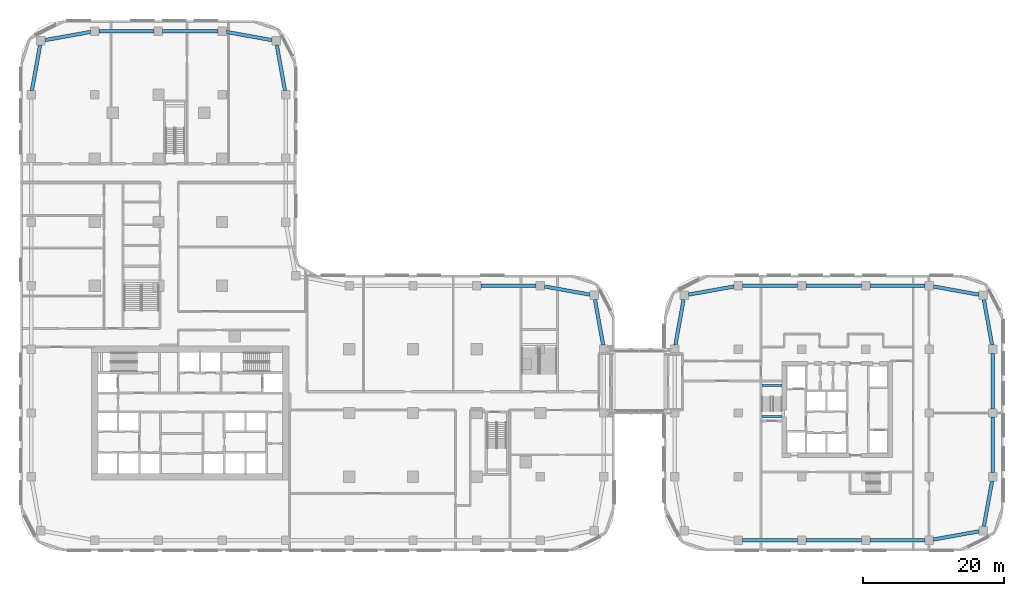
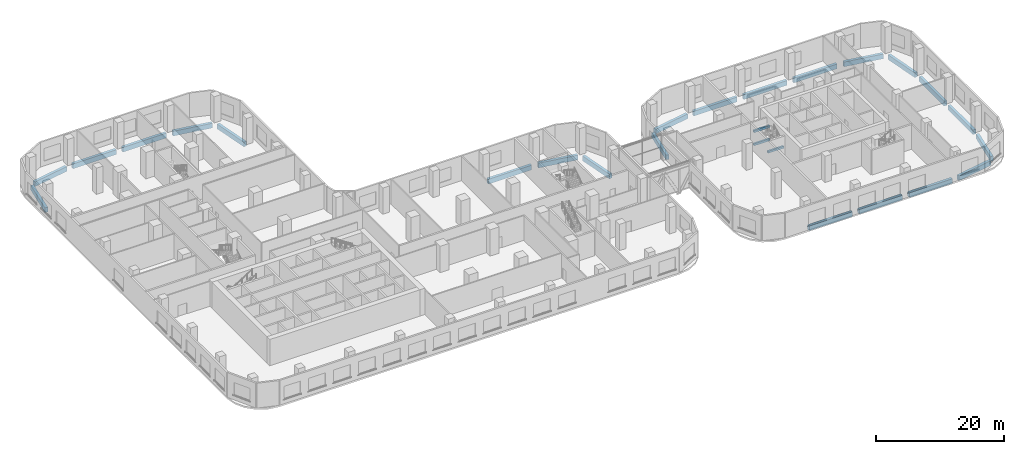
# One storey, part 3 of 35: 26 beams.
"""IFC4 building model written with IfcOpenShell, lengths in metres."""

import ifcopenshell
import ifcopenshell.guid

model = None  # the IFC model being written
_history = None  # IfcOwnerHistory: only IFC2X3 demands one
_inside = {}  # id of a spatial element -> (the spatial element, [elements in it])
_under = {}  # id of a project, library or spatial element -> (it, [spatial elements below it])
_declared = {}  # id of a project -> (the project, [libraries it declares])
_typed = {}  # id of a type object -> (the type object, [elements of that type])
_made_of = {}  # id of a material, layer set ... -> (it, [elements and type objects made of it])


def new_model(schema):
    """Start an empty IFC model of exactly this schema.

    Asked for "IFC4X3", IfcOpenShell would pick the latest addendum, in which some entities
    have other attributes; the version numbers below select the first issue.
    IFC2X3 requires an IfcOwnerHistory on every rooted entity: one is made here for all.
    """
    global model, _history
    if schema == "IFC4X3":
        model = ifcopenshell.file(schema_version=(4, 3, 0, 0))
    else:
        model = ifcopenshell.file(schema=schema)
    _inside.clear()
    _under.clear()
    _declared.clear()
    _typed.clear()
    _made_of.clear()
    _history = None
    if model.schema == "IFC2X3":
        org = make("IfcOrganization", Name="unknown")
        user = make(
            "IfcPersonAndOrganization",
            ThePerson=make("IfcPerson", FamilyName="unknown"),
            TheOrganization=org,
        )
        app = make(
            "IfcApplication",
            ApplicationDeveloper=org,
            Version="unknown",
            ApplicationFullName="unknown",
            ApplicationIdentifier="unknown",
        )
        _history = make(
            "IfcOwnerHistory",
            OwningUser=user,
            OwningApplication=app,
            ChangeAction="ADDED",
            CreationDate=0,
        )
    return model


def make(cls, **values):
    """One entity of the class cls with the attributes given. An attribute that is None is left unset."""
    return model.create_entity(
        cls, **{name: value for name, value in values.items() if value is not None}
    )


def rooted(cls, **values):
    """An entity with a GlobalId (a new one), such as an element, a storey or a relation."""
    return make(cls, GlobalId=ifcopenshell.guid.new(), OwnerHistory=_history, **values)


def si_unit(unit_type, name, prefix=None):
    """IfcSIUnit, for example si_unit("LENGTHUNIT", "METRE", prefix="MILLI")."""
    return make("IfcSIUnit", UnitType=unit_type, Prefix=prefix, Name=name)


def assignment(units):
    """IfcUnitAssignment: the units of a project."""
    return None if units is None else make("IfcUnitAssignment", Units=units)


def point(xyz):
    """IfcCartesianPoint."""
    return None if xyz is None else make("IfcCartesianPoint", Coordinates=xyz)


def direction(xyz):
    """IfcDirection."""
    return None if xyz is None else make("IfcDirection", DirectionRatios=xyz)


def frame(location, z_axis=None, x_axis=None):
    """IfcAxis2Placement3D, a coordinate frame: its origin and axes. An axis left out is left unset."""
    return make(
        "IfcAxis2Placement3D",
        Location=point(location),
        Axis=direction(z_axis),
        RefDirection=direction(x_axis),
    )


def frame_2d(location, x_axis=None):
    """IfcAxis2Placement2D, a coordinate frame in the plane: its origin and x axis."""
    return make(
        "IfcAxis2Placement2D", Location=point(location), RefDirection=direction(x_axis)
    )


def origin():
    """The frame at (0, 0, 0) with its axes left unset."""
    return frame((0.0, 0.0, 0.0))


def origin_2d():
    """The frame at (0, 0) in the plane with its x axis left unset."""
    return frame_2d((0.0, 0.0))


def place(relative_to, where):
    """IfcLocalPlacement: puts the frame where relative to a parent placement (None: the world)."""
    return make(
        "IfcLocalPlacement", PlacementRelTo=relative_to, RelativePlacement=where
    )


def context(
    kind, dimensions, precision=None, world=None, true_north=None, identifier=None
):
    """IfcGeometricRepresentationContext, for example the 3D "Model" context."""
    return make(
        "IfcGeometricRepresentationContext",
        ContextIdentifier=identifier,
        ContextType=kind,
        CoordinateSpaceDimension=dimensions,
        Precision=precision,
        WorldCoordinateSystem=world,
        TrueNorth=true_north,
    )


def subcontext(parent, identifier, kind, view, scale=None):
    """IfcGeometricRepresentationSubContext, for example "Body" below "Model"."""
    return make(
        "IfcGeometricRepresentationSubContext",
        ContextIdentifier=identifier,
        ContextType=kind,
        ParentContext=parent,
        TargetScale=scale,
        TargetView=view,
    )


def project(units=None, contexts=None):
    """IfcProject with its units and contexts."""
    return rooted(
        "IfcProject",
        Name="project",
        RepresentationContexts=contexts,
        UnitsInContext=assignment(units),
    )


def spatial(cls, under=None, at=None, **own):
    """A site, building, storey or space (cls), placed at a placement, below another one or the project."""
    s = rooted(cls, ObjectPlacement=at, **own)
    if under is not None:
        _under.setdefault(under.id(), (under, []))[1].append(s)
    return s


def profile(cls, at=None, kind="AREA", **sizes):
    """A parametric profile (cls). Its sizes go by their IFC names, for example OverallWidth=200.0."""
    return make(cls, ProfileType=kind, Position=at, **sizes)


def rectangle(**sizes):
    """IfcRectangleProfileDef."""
    return profile("IfcRectangleProfileDef", **sizes)


def extrude(swept, where, along, depth):
    """IfcExtrudedAreaSolid: the profile swept, set in the frame where, extruded along a direction by depth."""
    return make(
        "IfcExtrudedAreaSolid",
        SweptArea=swept,
        Position=where,
        ExtrudedDirection=direction(along),
        Depth=depth,
    )


def shape(context_of_items, identifier, shape_type, items):
    """IfcShapeRepresentation: the items that make up one representation, for example the "Body"."""
    return make(
        "IfcShapeRepresentation",
        ContextOfItems=context_of_items,
        RepresentationIdentifier=identifier,
        RepresentationType=shape_type,
        Items=items,
    )


def material(Name=None, Category=None):
    """IfcMaterial."""
    return make("IfcMaterial", Name=Name, Category=Category)


def material_profile(
    of_material, cross_section, Name=None, Category=None, Priority=None
):
    """IfcMaterialProfile: a cross section and its material."""
    return make(
        "IfcMaterialProfile",
        Name=Name,
        Material=of_material,
        Profile=cross_section,
        Priority=Priority,
        Category=Category,
    )


def profile_set(profiles, Name=None, composite=None):
    """IfcMaterialProfileSet."""
    return make(
        "IfcMaterialProfileSet",
        Name=Name,
        MaterialProfiles=profiles,
        CompositeProfile=composite,
    )


def made_of(thing, what):
    """Note that an element or type object is made of a material, layer set ...; save() writes the relation."""
    if what is not None:
        _made_of.setdefault(what.id(), (what, []))[1].append(thing)
    return thing


def type_object(cls, material=None, **own):
    """A type object (cls), such as IfcWallType, which elements share."""
    return made_of(rooted(cls, **own), material)


def element(
    cls,
    number,
    at=None,
    inside=None,
    cuts=None,
    type_object=None,
    material=None,
    context=None,
    identifier="Body",
    shape_type=None,
    held_by="IfcProductDefinitionShape",
    body=None,
    shapes=None,
    **own,
):
    """One element of the class cls, such as IfcWall. Its Tag is "e" and its number.

    at: its placement. inside: the storey or other place that contains it. cuts: it is an
    opening in that element (IfcRelVoidsElement). A single representation is given by context,
    identifier, shape_type and body (its items); several are given by shapes. held_by: the class
    of the entity that holds the representations. save() writes the other relations.
    """
    e = rooted(cls, Tag="e%d" % number, ObjectPlacement=at, **own)
    if body is not None:
        shapes = [shape(context, identifier, shape_type, body)]
    if shapes is not None:
        e.Representation = make(held_by, Representations=shapes)
    if inside is not None:
        _inside.setdefault(inside.id(), (inside, []))[1].append(e)
    if cuts is not None:
        rooted(
            "IfcRelVoidsElement", RelatingBuildingElement=cuts, RelatedOpeningElement=e
        )
    if type_object is not None:
        _typed.setdefault(type_object.id(), (type_object, []))[1].append(e)
    return made_of(e, material)


def aggregate(whole, parts):
    """IfcRelAggregates: a whole, such as a stair, and the parts it consists of."""
    return rooted("IfcRelAggregates", RelatingObject=whole, RelatedObjects=parts)


def save(model, path):
    """Write the relations noted so far, then the file.

    IfcRelAggregates (storeys below a building ...), IfcRelContainedInSpatialStructure (elements
    in a storey), IfcRelDefinesByType, IfcRelAssociatesMaterial and IfcRelDeclares: one each for
    every whole, place, type object, material and project.
    """
    for whole, parts in _under.values():
        aggregate(whole, parts)
    for where, things in _inside.values():
        rooted(
            "IfcRelContainedInSpatialStructure",
            RelatedElements=things,
            RelatingStructure=where,
        )
    for kind, things in _typed.values():
        rooted("IfcRelDefinesByType", RelatedObjects=things, RelatingType=kind)
    for what, things in _made_of.values():
        rooted("IfcRelAssociatesMaterial", RelatedObjects=things, RelatingMaterial=what)
    for by, libraries in _declared.values():
        rooted("IfcRelDeclares", RelatingContext=by, RelatedDefinitions=libraries)
    model.write(path)


model = new_model("IFC4")

# Units and contexts
model_context = context("Model", 3, precision=1e-05, world=origin(), true_north=direction((0.0, 1.0)))
body_context = subcontext(model_context, "Body", "Model", "MODEL_VIEW")
ifc_project = project(units=[si_unit("LENGTHUNIT", "METRE"), si_unit("AREAUNIT", "SQUARE_METRE"), si_unit("VOLUMEUNIT", "CUBIC_METRE"), si_unit("PLANEANGLEUNIT", "RADIAN"), si_unit("MASSUNIT", "GRAM", prefix="KILO")], contexts=[model_context])

# Site, building, storey
site_placement = place(None, origin())
site = spatial("IfcSite", under=ifc_project, at=site_placement, CompositionType="ELEMENT")
building_placement = place(site_placement, origin())
building = spatial("IfcBuilding", under=site, at=building_placement, Name="Ogive Portal Towers", CompositionType="ELEMENT")
storey_placement = place(building_placement, frame((0.0, 0.0, 23.5)))
storey = spatial("IfcBuildingStorey", under=building, at=storey_placement, Name="L04", CompositionType="ELEMENT", Elevation=23.5)

# Beams
ifc_material_1 = material(Name="Concrete C40/50", Category="concrete")
ifc_material_profile_1 = material_profile(ifc_material_1, rectangle(XDim=0.300048828125, YDim=0.39990234375, at=origin_2d()), Name="RC 300x400")
ifc_profile_set_1 = profile_set([ifc_material_profile_1], Name="Concrete C40/50")
beam_type_1 = type_object("IfcBeamType", Name="BEAM RC 300x400", PredefinedType="BEAM", material=ifc_profile_set_1)
for number, where, z_axis, x_axis, name in (
    (1, (125.85009765625, 34.39990234375, 0.85009765625), (1.0, 0.0, 0.0), (0.0, 1.0, 0.0), "Landing beam L04"),
    (2, (125.85009765625, 30.0, 2.10009765625), (1.0, 0.0, 0.0), (0.0, 1.0, 0.0), "Landing beam L04"),
    (3, (125.85009765625, 34.39990234375, 3.35009765625), (1.0, 0.0, 0.0), (0.0, 1.0, 0.0), "Landing beam L04"),
):
    element("IfcBeam", number, at=place(storey_placement, frame(where, z_axis=z_axis, x_axis=x_axis)), inside=storey, type_object=beam_type_1, Name=name, PredefinedType="BEAM", context=body_context, shape_type="SweptSolid", body=[
        extrude(rectangle(XDim=0.300048828125, YDim=0.39990234375, at=origin_2d()), origin(), (0.0, 0.0, 1.0), 2.849853515625),
    ])
ifc_material_2 = material(Name="Concrete C50/60", Category="concrete")
ifc_material_profile_2 = material_profile(ifc_material_2, rectangle(XDim=0.5, YDim=0.89990234375, at=origin_2d()), Name="RC 500x900")
ifc_profile_set_2 = profile_set([ifc_material_profile_2], Name="Concrete C50/60")
beam_type_2 = type_object("IfcBeamType", Name="PODIUM GIRDER RC 500x900", PredefinedType="BEAM", material=ifc_profile_set_2)
for number, where, z_axis, x_axis, name in (
    (4, (103.392333984375, 40.10009765625, -0.75), (-0.176730903032, 0.984259207685, 0.0), (-0.984259207685, -0.176730903032, 0.0), "Spandrel beam L04"),
    (5, (101.530029296875, 47.23779296875, -0.75), (-0.984259207685, 0.176730903032, 0.0), (-0.176730903032, -0.984259207685, 0.0), "Spandrel beam L04"),
):
    element("IfcBeam", number, at=place(storey_placement, frame(where, z_axis=z_axis, x_axis=x_axis)), inside=storey, type_object=beam_type_2, Name=name, PredefinedType="BEAM", context=body_context, shape_type="SweptSolid", body=[
        extrude(rectangle(XDim=0.5, YDim=0.89990234375, at=origin_2d()), origin(), (0.0, 0.0, 1.0), 6.53271484375),
    ])
beam_placement = place(storey_placement, frame((93.89990234375, 48.5, -0.75), z_axis=(-1.0, 0.0, 0.0), x_axis=(0.0, -1.0, 0.0)))
element("IfcBeam", 6, at=beam_placement, inside=storey, type_object=beam_type_2, Name="Spandrel beam L04", PredefinedType="BEAM", context=body_context, shape_type="SweptSolid", body=[
    extrude(rectangle(XDim=0.5, YDim=0.89990234375, at=origin_2d()), origin(), (0.0, 0.0, 1.0), 7.7998046875),
])
for number, where, z_axis, x_axis, name in (
    (7, (58.392333984375, 76.10009765625, -0.75), (-0.176730903032, 0.984259207685, 0.0), (-0.984259207685, -0.176730903032, 0.0), "Spandrel beam L04"),
    (8, (56.530029296875, 83.23779296875, -0.75), (-0.984259207685, 0.176730903032, 0.0), (-0.176730903032, -0.984259207685, 0.0), "Spandrel beam L04"),
):
    element("IfcBeam", number, at=place(storey_placement, frame(where, z_axis=z_axis, x_axis=x_axis)), inside=storey, type_object=beam_type_2, Name=name, PredefinedType="BEAM", context=body_context, shape_type="SweptSolid", body=[
        extrude(rectangle(XDim=0.5, YDim=0.89990234375, at=origin_2d()), origin(), (0.0, 0.0, 1.0), 6.53271484375),
    ])
for number, where, z_axis, x_axis, name in (
    (9, (48.89990234375, 84.5, -0.75), (-1.0, 0.0, 0.0), (0.0, -1.0, 0.0), "Spandrel beam L04"),
    (10, (39.89990234375, 84.5, -0.75), (-1.0, 0.0, 0.0), (0.0, -1.0, 0.0), "Spandrel beam L04"),
):
    element("IfcBeam", number, at=place(storey_placement, frame(where, z_axis=z_axis, x_axis=x_axis)), inside=storey, type_object=beam_type_2, Name=name, PredefinedType="BEAM", context=body_context, shape_type="SweptSolid", body=[
        extrude(rectangle(XDim=0.5, YDim=0.89990234375, at=origin_2d()), origin(), (0.0, 0.0, 1.0), 7.7998046875),
    ])
for number, where, z_axis, x_axis, name in (
    (11, (30.89990234375, 84.392333984375, -0.75), (-0.984259207685, -0.176730903032, 0.0), (0.176730903032, -0.984259207685, 0.0), "Spandrel beam L04"),
    (12, (23.76220703125, 82.530029296875, -0.75), (-0.176730903032, -0.984259207685, 0.0), (0.984259207685, -0.176730903032, 0.0), "Spandrel beam L04"),
):
    element("IfcBeam", number, at=place(storey_placement, frame(where, z_axis=z_axis, x_axis=x_axis)), inside=storey, type_object=beam_type_2, Name=name, PredefinedType="BEAM", context=body_context, shape_type="SweptSolid", body=[
        extrude(rectangle(XDim=0.5, YDim=0.89990234375, at=origin_2d()), origin(), (0.0, 0.0, 1.0), 6.53271484375),
    ])
for number, where, z_axis, x_axis, name in (
    (13, (123.10009765625, 12.5, -0.75), (1.0, 0.0, 0.0), (0.0, 1.0, 0.0), "Spandrel beam L04"),
    (14, (132.10009765625, 12.5, -0.75), (1.0, 0.0, 0.0), (0.0, 1.0, 0.0), "Spandrel beam L04"),
    (15, (141.10009765625, 12.5, -0.75), (1.0, 0.0, 0.0), (0.0, 1.0, 0.0), "Spandrel beam L04"),
):
    element("IfcBeam", number, at=place(storey_placement, frame(where, z_axis=z_axis, x_axis=x_axis)), inside=storey, type_object=beam_type_2, Name=name, PredefinedType="BEAM", context=body_context, shape_type="SweptSolid", body=[
        extrude(rectangle(XDim=0.5, YDim=0.89990234375, at=origin_2d()), origin(), (0.0, 0.0, 1.0), 7.7998046875),
    ])
for number, where, z_axis, x_axis, name in (
    (16, (150.10009765625, 12.607666015625, -0.75), (0.984259207685, 0.176730903032, 0.0), (-0.176730903032, 0.984259207685, 0.0), "Spandrel beam L04"),
    (17, (157.23779296875, 14.469970703125, -0.75), (0.176730903032, 0.984259207685, 0.0), (-0.984259207685, 0.176730903032, 0.0), "Spandrel beam L04"),
):
    element("IfcBeam", number, at=place(storey_placement, frame(where, z_axis=z_axis, x_axis=x_axis)), inside=storey, type_object=beam_type_2, Name=name, PredefinedType="BEAM", context=body_context, shape_type="SweptSolid", body=[
        extrude(rectangle(XDim=0.5, YDim=0.89990234375, at=origin_2d()), origin(), (0.0, 0.0, 1.0), 6.53271484375),
    ])
for number, where, z_axis, x_axis, name in (
    (18, (158.5, 22.10009765625, -0.75), (0.0, 1.0, 0.0), (-1.0, 0.0, 0.0), "Spandrel beam L04"),
    (19, (158.5, 31.10009765625, -0.75), (0.0, 1.0, 0.0), (-1.0, 0.0, 0.0), "Spandrel beam L04"),
):
    element("IfcBeam", number, at=place(storey_placement, frame(where, z_axis=z_axis, x_axis=x_axis)), inside=storey, type_object=beam_type_2, Name=name, PredefinedType="BEAM", context=body_context, shape_type="SweptSolid", body=[
        extrude(rectangle(XDim=0.5, YDim=0.89990234375, at=origin_2d()), origin(), (0.0, 0.0, 1.0), 7.7998046875),
    ])
for number, where, z_axis, x_axis, name in (
    (20, (158.392333984375, 40.10009765625, -0.75), (-0.176730903032, 0.984259207685, 0.0), (-0.984259207685, -0.176730903032, 0.0), "Spandrel beam L04"),
    (21, (156.530029296875, 47.23779296875, -0.75), (-0.984259207685, 0.176730903032, 0.0), (-0.176730903032, -0.984259207685, 0.0), "Spandrel beam L04"),
):
    element("IfcBeam", number, at=place(storey_placement, frame(where, z_axis=z_axis, x_axis=x_axis)), inside=storey, type_object=beam_type_2, Name=name, PredefinedType="BEAM", context=body_context, shape_type="SweptSolid", body=[
        extrude(rectangle(XDim=0.5, YDim=0.89990234375, at=origin_2d()), origin(), (0.0, 0.0, 1.0), 6.53271484375),
    ])
for number, where, z_axis, x_axis, name in (
    (22, (148.89990234375, 48.5, -0.75), (-1.0, 0.0, 0.0), (0.0, -1.0, 0.0), "Spandrel beam L04"),
    (23, (139.89990234375, 48.5, -0.75), (-1.0, 0.0, 0.0), (0.0, -1.0, 0.0), "Spandrel beam L04"),
    (24, (130.89990234375, 48.5, -0.75), (-1.0, 0.0, 0.0), (0.0, -1.0, 0.0), "Spandrel beam L04"),
):
    element("IfcBeam", number, at=place(storey_placement, frame(where, z_axis=z_axis, x_axis=x_axis)), inside=storey, type_object=beam_type_2, Name=name, PredefinedType="BEAM", context=body_context, shape_type="SweptSolid", body=[
        extrude(rectangle(XDim=0.5, YDim=0.89990234375, at=origin_2d()), origin(), (0.0, 0.0, 1.0), 7.7998046875),
    ])
for number, where, z_axis, x_axis, name in (
    (25, (121.89990234375, 48.392333984375, -0.75), (-0.984259207685, -0.176730903032, 0.0), (0.176730903032, -0.984259207685, 0.0), "Spandrel beam L04"),
    (26, (114.76220703125, 46.530029296875, -0.75), (-0.176730903032, -0.984259207685, 0.0), (0.984259207685, -0.176730903032, 0.0), "Spandrel beam L04"),
):
    element("IfcBeam", number, at=place(storey_placement, frame(where, z_axis=z_axis, x_axis=x_axis)), inside=storey, type_object=beam_type_2, Name=name, PredefinedType="BEAM", context=body_context, shape_type="SweptSolid", body=[
        extrude(rectangle(XDim=0.5, YDim=0.89990234375, at=origin_2d()), origin(), (0.0, 0.0, 1.0), 6.53271484375),
    ])

save(model, "model.ifc")
